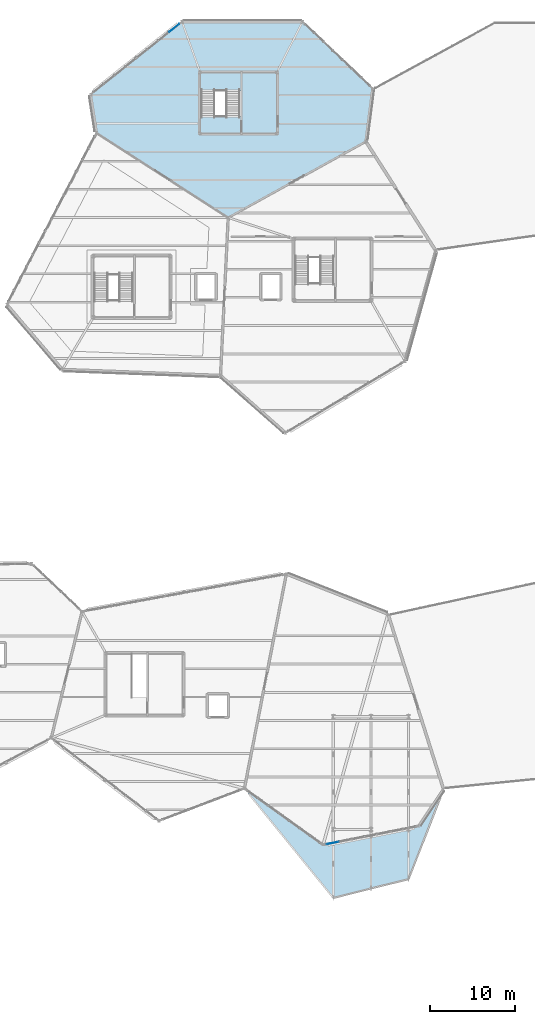
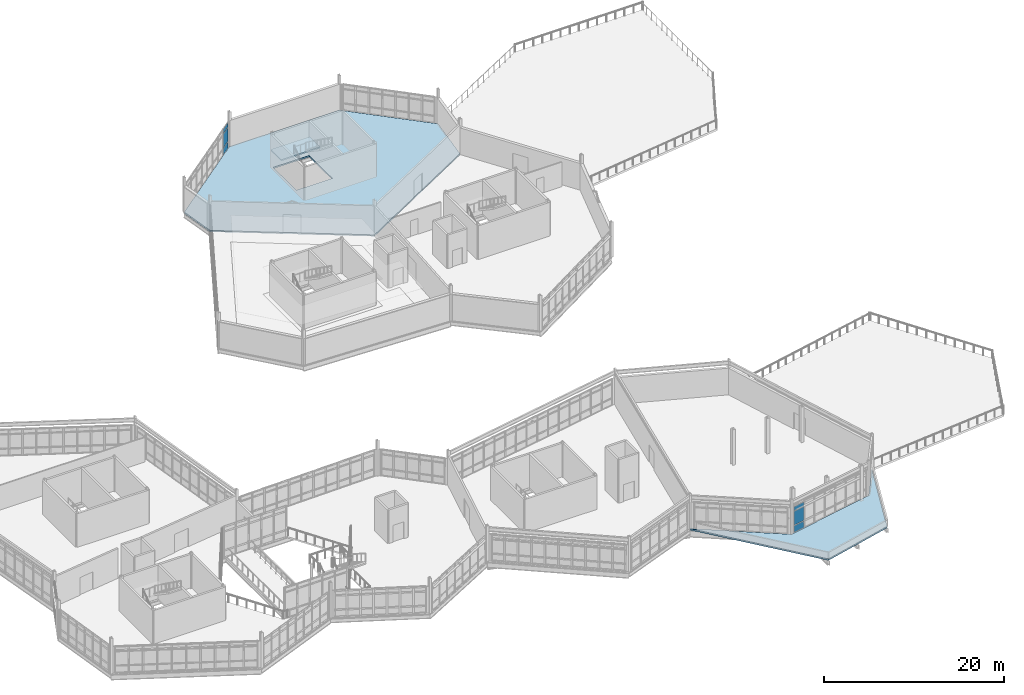
# One storey, part 53 of 76: 6 plates, 3 slabs, 3 elements without a shape of their own.
"""IFC4 building model written with IfcOpenShell, lengths in metres."""

from ifc_helpers import new_model, si_unit, direction, frame, origin, origin_2d, place, context, subcontext, project, spatial, polyline, rectangle, outline, extrude, material, layer, layer_set, type_object, element, aggregate, save


model = new_model("IFC4")

# Units and contexts
model_context = context("Model", 3, precision=1e-05, world=origin(), true_north=direction((0.0, 1.0)))
body_context = subcontext(model_context, "Body", "Model", "MODEL_VIEW")
ifc_project = project(units=[si_unit("LENGTHUNIT", "METRE"), si_unit("AREAUNIT", "SQUARE_METRE"), si_unit("VOLUMEUNIT", "CUBIC_METRE"), si_unit("PLANEANGLEUNIT", "RADIAN"), si_unit("MASSUNIT", "GRAM", prefix="KILO")], contexts=[model_context])

# Site, building, storey
site_placement = place(None, origin())
site = spatial("IfcSite", under=ifc_project, at=site_placement, CompositionType="ELEMENT")
building_placement = place(site_placement, origin())
building = spatial("IfcBuilding", under=site, at=building_placement, Name="Tameran Prism Museum", CompositionType="ELEMENT")
storey_placement = place(building_placement, frame((0.0, 0.0, 15.0)))
storey = spatial("IfcBuildingStorey", under=building, at=storey_placement, Name="L03", CompositionType="ELEMENT", Elevation=15.0)

# Curtain wall, plates
ifc_material_1 = material(Name="Anodised Aluminium 6063-T6 and Cyclone Solar Glass", Category="aluminium")
curtain_wall_type_1 = type_object("IfcCurtainWallType", Name="CW-FAC-1071x362", PredefinedType="USERDEFINED", material=ifc_material_1)
curtain_wall_1_placement = place(storey_placement, origin())
curtain_wall_1 = element("IfcCurtainWall", 1, at=curtain_wall_1_placement, inside=storey, type_object=curtain_wall_type_1, Name="Unitised Curtain Wall CW-149", ObjectType="UNITISED CURTAIN WALL", PredefinedType="USERDEFINED")
ifc_material_2 = material(Name="Low-E Laminated Solar Glass", Category="glass")
ifc_layer_1 = layer(ifc_material_2, 0.028076171875)
ifc_layer_set_1 = layer_set([ifc_layer_1])
plate_type_1 = type_object("IfcPlateType", Name="CW-PNL-G28", PredefinedType="CURTAIN_PANEL", material=ifc_layer_set_1)
plate_1_placement = place(storey_placement, frame((131.012451171875, 15.918212890625, 0.0751953125), z_axis=(0.0, 0.0, 1.0), x_axis=(-0.981235579989, -0.192812698141, 0.0)))
plate_1 = element("IfcPlate", 2, at=plate_1_placement, type_object=plate_type_1, Name="CW-149 panel 7.1", PredefinedType="CURTAIN_PANEL", context=body_context, shape_type="SweptSolid", body=[
    extrude(rectangle(XDim=1.418212890625, YDim=0.028076171875, at=origin_2d()), origin(), (0.0, 0.0, 1.0), 0.887451171875),
])
plate_2_placement = place(storey_placement, frame((131.012451171875, 15.918212890625, 1.03759765625), z_axis=(0.0, 0.0, 1.0), x_axis=(-0.981235579989, -0.192812698141, 0.0)))
plate_2 = element("IfcPlate", 3, at=plate_2_placement, type_object=plate_type_1, Name="CW-149 panel 7.2", PredefinedType="CURTAIN_PANEL", context=body_context, shape_type="SweptSolid", body=[
    extrude(rectangle(XDim=1.418212890625, YDim=0.028076171875, at=origin_2d()), origin(), (0.0, 0.0, 1.0), 1.864990234375),
])
plate_3_placement = place(storey_placement, frame((131.012451171875, 15.918212890625, 2.9775390625), z_axis=(0.0, 0.0, 1.0), x_axis=(-0.981235579989, -0.192812698141, 0.0)))
plate_3 = element("IfcPlate", 4, at=plate_3_placement, type_object=plate_type_1, Name="CW-149 panel 7.3", PredefinedType="CURTAIN_PANEL", context=body_context, shape_type="SweptSolid", body=[
    extrude(rectangle(XDim=1.418212890625, YDim=0.028076171875, at=origin_2d()), origin(), (0.0, 0.0, 1.0), 0.5673828125),
])
aggregate(curtain_wall_1, [plate_1, plate_2, plate_3])

ifc_material_3 = material(Name="Anodised Aluminium 6063-T6 and Cyclone Solar Glass", Category="aluminium")
curtain_wall_type_2 = type_object("IfcCurtainWallType", Name="CW-FAC-1296x362", PredefinedType="USERDEFINED", material=ifc_material_3)
curtain_wall_2_placement = place(storey_placement, origin())
curtain_wall_2 = element("IfcCurtainWall", 5, at=curtain_wall_2_placement, inside=storey, type_object=curtain_wall_type_2, Name="Unitised Curtain Wall CW-133", ObjectType="UNITISED CURTAIN WALL", PredefinedType="USERDEFINED")
ifc_material_4 = material(Name="Cyclone Laminated Solar Glass", Category="glass")
ifc_layer_2 = layer(ifc_material_4, 0.031982421875)
ifc_layer_set_2 = layer_set([ifc_layer_2])
plate_type_2 = type_object("IfcPlateType", Name="CW-PNL-G32", PredefinedType="CURTAIN_PANEL", material=ifc_layer_set_2)
plate_4_placement = place(storey_placement, frame((112.476806640625, 111.266357421875, 0.0751953125), z_axis=(0.0, 0.0, 1.0), x_axis=(0.783031296178, 0.621982306183, 0.0)))
plate_4 = element("IfcPlate", 6, at=plate_4_placement, type_object=plate_type_2, Name="CW-133 panel 8.1", PredefinedType="CURTAIN_PANEL", context=body_context, shape_type="SweptSolid", body=[
    extrude(rectangle(XDim=1.508056640625, YDim=0.031982421875, at=origin_2d()), origin(), (0.0, 0.0, 1.0), 0.887451171875),
])
plate_5_placement = place(storey_placement, frame((112.476806640625, 111.266357421875, 1.03759765625), z_axis=(0.0, 0.0, 1.0), x_axis=(0.783031296178, 0.621982306183, 0.0)))
plate_5 = element("IfcPlate", 7, at=plate_5_placement, type_object=plate_type_2, Name="CW-133 panel 8.2", PredefinedType="CURTAIN_PANEL", context=body_context, shape_type="SweptSolid", body=[
    extrude(rectangle(XDim=1.508056640625, YDim=0.031982421875, at=origin_2d()), origin(), (0.0, 0.0, 1.0), 1.864990234375),
])
plate_6_placement = place(storey_placement, frame((112.476806640625, 111.266357421875, 2.9775390625), z_axis=(0.0, 0.0, 1.0), x_axis=(0.783031296178, 0.621982306183, 0.0)))
plate_6 = element("IfcPlate", 8, at=plate_6_placement, type_object=plate_type_2, Name="CW-133 panel 8.3", PredefinedType="CURTAIN_PANEL", context=body_context, shape_type="SweptSolid", body=[
    extrude(rectangle(XDim=1.508056640625, YDim=0.031982421875, at=origin_2d()), origin(), (0.0, 0.0, 1.0), 0.5673828125),
])
aggregate(curtain_wall_2, [plate_4, plate_5, plate_6])

# Slab
ifc_material_5 = material(Name="Concrete N32 (32 MPa)", Category="concrete")
ifc_layer_3 = layer(ifc_material_5, 0.199951171875)
ifc_layer_set_3 = layer_set([ifc_layer_3])
slab_type_1 = type_object("IfcSlabType", Name="SL-FLR-200", PredefinedType="FLOOR", material=ifc_layer_set_3)
slab_1_placement = place(storey_placement, frame((0.0, 0.0, -0.199951171875)))
element("IfcSlab", 9, at=slab_1_placement, inside=storey, type_object=slab_type_1, Name="Floor Slab FS-P03-L03", PredefinedType="FLOOR", context=body_context, shape_type="SweptSolid", body=[
    extrude(outline(polyline([(102.699951171875, 103.5), (113.39990234375, 112.0), (127.5, 112.0), (135.699951171875, 104.199951171875), (134.89990234375, 98.0), (118.800048828125, 89.10009765625), (103.39990234375, 99.0), (102.699951171875, 103.5)]), holes=[polyline([(120.219970703125, 106.050048828125), (115.60009765625, 106.050048828125), (115.60009765625, 100.93994140625), (120.219970703125, 100.93994140625), (120.219970703125, 106.050048828125)])]), origin(), (0.0, 0.0, 1.0), 0.199951171875),
])

# Stair, slab
ifc_material_6 = material(Name="Concrete N40 (40 MPa)", Category="concrete")
stair_type = type_object("IfcStairType", Name="ST-CORE-48", PredefinedType="HALF_TURN_STAIR", material=ifc_material_6)
stair_placement = place(storey_placement, origin())
stair = element("IfcStair", 10, at=stair_placement, inside=storey, type_object=stair_type, Name="Fire-Isolated Stair ST-07-L03", PredefinedType="HALF_TURN_STAIR")
ifc_material_7 = material(Name="Concrete N40 (40 MPa)", Category="concrete")
ifc_layer_4 = layer(ifc_material_7, 0.18505859375)
ifc_layer_set_4 = layer_set([ifc_layer_4])
slab_type_2 = type_object("IfcSlabType", Name="SL-LND-185", PredefinedType="LANDING", material=ifc_layer_set_4)
slab_2_placement = place(storey_placement, frame((0.0, 0.0, 2.215087890625)))
slab_2 = element("IfcSlab", 11, at=slab_2_placement, type_object=slab_type_2, Name="ST-07-L03 landing 1", PredefinedType="LANDING", context=body_context, shape_type="SweptSolid", body=[
    extrude(outline(polyline([(115.3798828125, 103.9150390625), (120.3701171875, 103.9150390625), (120.3701171875, 106.219970703125), (115.3798828125, 106.219970703125), (115.3798828125, 103.9150390625)])), origin(), (0.0, 0.0, 1.0), 0.184814453125),
])
aggregate(stair, [slab_2])

# Slab
ifc_material_8 = material(Name="Concrete N32 (32 MPa)", Category="concrete")
ifc_layer_5 = layer(ifc_material_8, 0.2099609375)
ifc_layer_set_5 = layer_set([ifc_layer_5])
slab_type_3 = type_object("IfcSlabType", Name="SL-ROOF-210", PredefinedType="ROOF", material=ifc_layer_set_5)
slab_3_placement = place(storey_placement, frame((0.0, 0.0, -0.2099609375)))
element("IfcSlab", 12, at=slab_3_placement, inside=storey, type_object=slab_type_3, Name="Cantilevered Prow Roof Slab RF-P09P1", PredefinedType="ROOF", context=body_context, shape_type="SweptSolid", body=[
    extrude(outline(polyline([(139.89990234375, 11.699951171875), (131.10009765625, 9.5), (120.699951171875, 22.300048828125), (129.89990234375, 15.699951171875), (141.10009765625, 17.89990234375), (144.0, 22.199951171875), (139.89990234375, 11.699951171875)])), origin(), (0.0, 0.0, 1.0), 0.2099609375),
])

save(model, "model.ifc")
